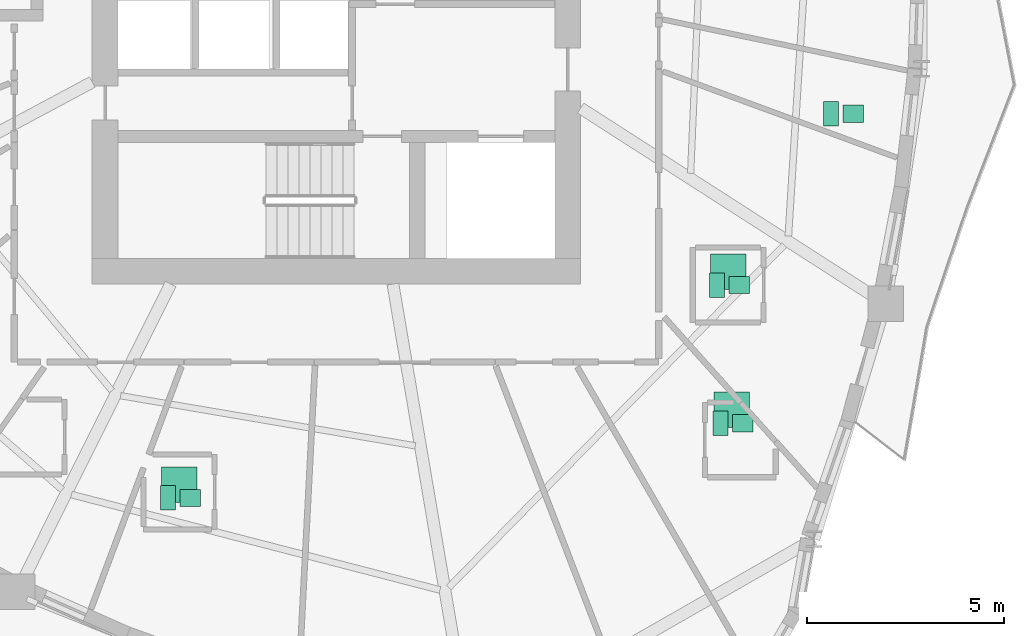
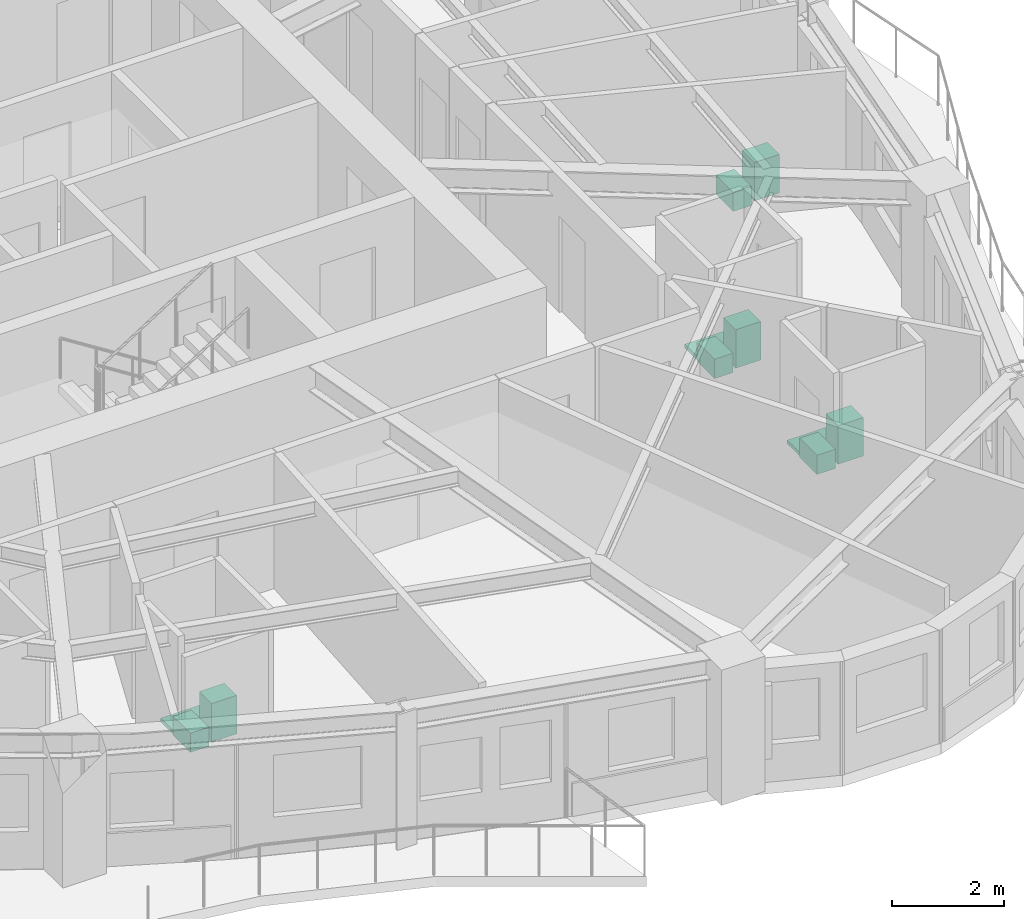
# One storey, part 13 of 13: 11 sanitary terminals.
"""IFC4 building model written with IfcOpenShell, lengths in metres."""

from ifc_helpers import new_model, si_unit, direction, frame, origin, origin_2d, place, context, subcontext, project, spatial, rectangle, extrude, source, transform, mapped, material, type_object, element, save


model = new_model("IFC4")

# Units and contexts
model_context = context("Model", 3, precision=1e-05, world=origin(), true_north=direction((0.0, 1.0)))
body_context = subcontext(model_context, "Body", "Model", "MODEL_VIEW")
ifc_project = project(units=[si_unit("LENGTHUNIT", "METRE"), si_unit("AREAUNIT", "SQUARE_METRE"), si_unit("VOLUMEUNIT", "CUBIC_METRE"), si_unit("PLANEANGLEUNIT", "RADIAN"), si_unit("MASSUNIT", "GRAM", prefix="KILO")], contexts=[model_context])

# Site, building, storey
site_placement = place(None, origin())
site = spatial("IfcSite", under=ifc_project, at=site_placement, CompositionType="ELEMENT")
building_placement = place(site_placement, origin())
building = spatial("IfcBuilding", under=site, at=building_placement, Name="Qafzar Sky-Pleat Residences", CompositionType="ELEMENT")
storey_placement = place(building_placement, frame((0.0, 0.0, 102.39990234375)))
storey = spatial("IfcBuildingStorey", under=building, at=storey_placement, Name="L30", CompositionType="ELEMENT", Elevation=102.39990234375)

# Sanitary terminals
ifc_material_1 = material(Name="Vitreous china sanitaryware")
sanitary_terminal_type_1 = type_object("IfcSanitaryTerminalType", Name="SAN-WC-PAN", PredefinedType="TOILETPAN", material=ifc_material_1)
shared_shape_1 = source(origin(), body_context, "Body", "SweptSolid", [
    extrude(rectangle(XDim=0.3798828125, YDim=0.6201171875, at=origin_2d()), origin(), (0.0, 0.0, 1.0), 0.419921875),
])
for number, where, z_axis, x_axis, name in (
    (1, (26.074951171875, 12.12109375, 0.000244140625), (0.0, 0.0, 1.0), (1.0, 0.0, 0.0), "L30 En-suite Bathroom 1 WC Pan"),
    (2, (40.106689453125, 14.0205078125, 0.000244140625), (0.0, 0.0, 1.0), (1.0, 0.0, 0.0), "L30 En-suite Bathroom 3 WC Pan"),
    (3, (40.014892578125, 17.52587890625, 0.000244140625), (0.0, 0.0, 1.0), (1.0, 0.0, 0.0), "L30 En-suite Bathroom 4 WC Pan"),
    (4, (42.90966796875, 21.87109375, 0.000244140625), (0.0, 0.0, 1.0), (1.0, 0.0, 0.0), "L30 Accessible Shared Washroom WC Pan"),
):
    element("IfcSanitaryTerminal", number, at=place(storey_placement, frame(where, z_axis=z_axis, x_axis=x_axis)), inside=storey, type_object=sanitary_terminal_type_1, Name=name, PredefinedType="TOILETPAN", context=body_context, shape_type="MappedRepresentation", body=[
        mapped(shared_shape_1, transform((0.0, 0.0, 0.0), x_axis=(1.0, 0.0, 0.0), y_axis=(0.0, 1.0, 0.0), z_axis=(0.0, 0.0, 1.0), scale=1.0)),
    ])
sanitary_terminal_type_2 = type_object("IfcSanitaryTerminalType", Name="SAN-BASIN", PredefinedType="WASHHANDBASIN", material=ifc_material_1)
shared_shape_2 = source(origin(), body_context, "Body", "SweptSolid", [
    extrude(rectangle(XDim=0.52001953125, YDim=0.43994140625, at=origin_2d()), origin(), (0.0, 0.0, 1.0), 0.840087890625),
])
for number, where, z_axis, x_axis, name in (
    (5, (26.635009765625, 12.12109375, 0.0), (0.0, 0.0, 1.0), (1.0, 0.0, 0.0), "L30 En-suite Bathroom 1 Pedestal Washbasin"),
    (6, (40.66650390625, 14.0205078125, 0.0), (0.0, 0.0, 1.0), (1.0, 0.0, 0.0), "L30 En-suite Bathroom 3 Pedestal Washbasin"),
    (7, (40.574951171875, 17.52587890625, 0.0), (0.0, 0.0, 1.0), (1.0, 0.0, 0.0), "L30 En-suite Bathroom 4 Pedestal Washbasin"),
    (8, (43.4697265625, 21.87109375, 0.0), (0.0, 0.0, 1.0), (1.0, 0.0, 0.0), "L30 Accessible Shared Washroom Pedestal Washbasin"),
):
    element("IfcSanitaryTerminal", number, at=place(storey_placement, frame(where, z_axis=z_axis, x_axis=x_axis)), inside=storey, type_object=sanitary_terminal_type_2, Name=name, PredefinedType="WASHHANDBASIN", context=body_context, shape_type="MappedRepresentation", body=[
        mapped(shared_shape_2, transform((0.0, 0.0, 0.0), x_axis=(1.0, 0.0, 0.0), y_axis=(0.0, 1.0, 0.0), z_axis=(0.0, 0.0, 1.0), scale=1.0)),
    ])
ifc_material_2 = material(Name="Vitreous china and acrylic tray")
sanitary_terminal_type_3 = type_object("IfcSanitaryTerminalType", Name="SAN-SHOWER", PredefinedType="SHOWER", material=ifc_material_2)
shared_shape_3 = source(origin(), body_context, "Body", "SweptSolid", [
    extrude(rectangle(XDim=0.89990234375, YDim=0.89990234375, at=origin_2d()), origin(), (0.0, 0.0, 1.0), 0.080078125),
])
for number, where, z_axis, x_axis, name in (
    (9, (26.35498046875, 12.4609375, 0.0), (0.0, 0.0, 1.0), (1.0, 0.0, 0.0), "L30 En-suite Bathroom 1 Walk-In Shower"),
    (10, (40.38671875, 14.360595703125, 0.0), (0.0, 0.0, 1.0), (1.0, 0.0, 0.0), "L30 En-suite Bathroom 3 Walk-In Shower"),
    (11, (40.294921875, 17.865966796875, 0.0), (0.0, 0.0, 1.0), (1.0, 0.0, 0.0), "L30 En-suite Bathroom 4 Walk-In Shower"),
):
    element("IfcSanitaryTerminal", number, at=place(storey_placement, frame(where, z_axis=z_axis, x_axis=x_axis)), inside=storey, type_object=sanitary_terminal_type_3, Name=name, PredefinedType="SHOWER", context=body_context, shape_type="MappedRepresentation", body=[
        mapped(shared_shape_3, transform((0.0, 0.0, 0.0), x_axis=(1.0, 0.0, 0.0), y_axis=(0.0, 1.0, 0.0), z_axis=(0.0, 0.0, 1.0), scale=1.0)),
    ])

save(model, "model.ifc")
